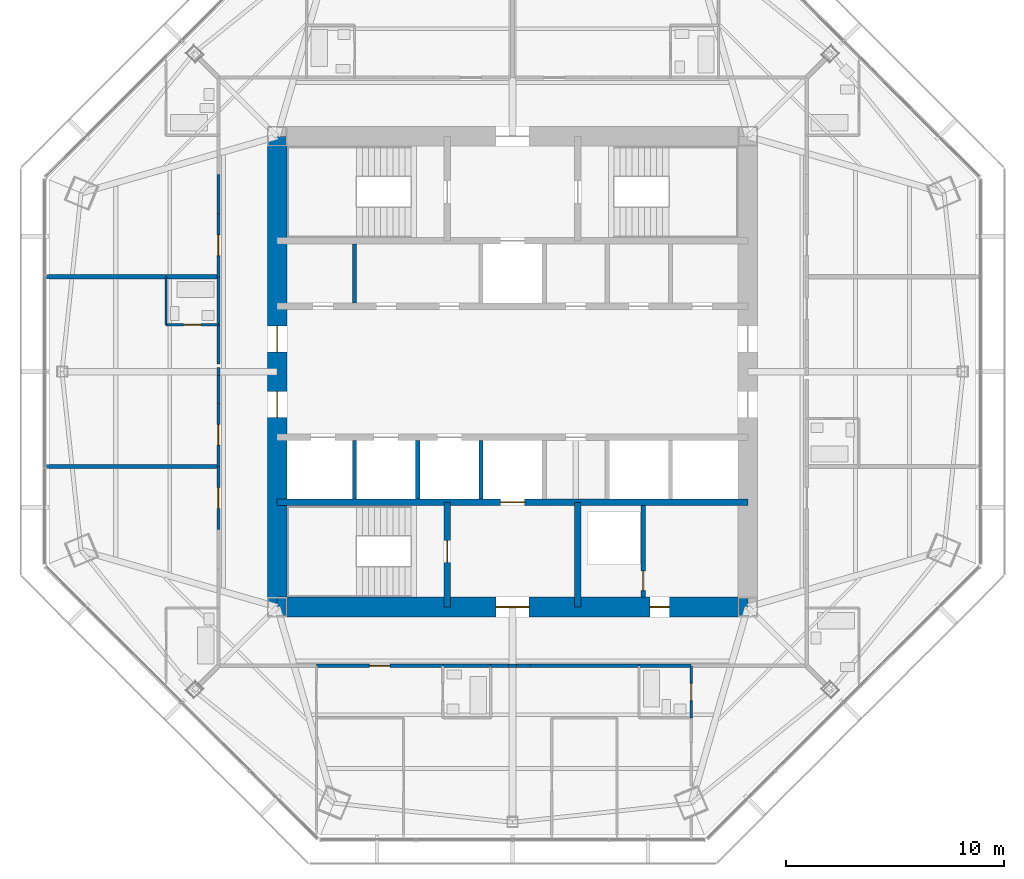
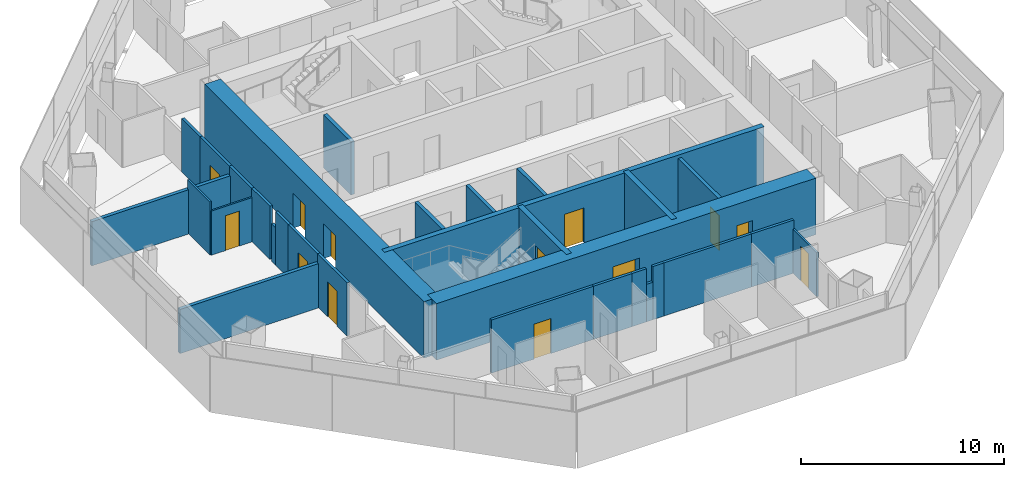
# One storey, part 9 of 15: 31 walls, 13 doors, 13 openings.
"""IFC4 building model written with IfcOpenShell, lengths in metres."""

from ifc_helpers import new_model, si_unit, direction, frame, frame_2d, origin, place, context, subcontext, project, spatial, rectangle, extrude, material, layer, layer_set, type_object, element, fill, save


model = new_model("IFC4")

# Units and contexts
model_context = context("Model", 3, precision=1e-05, world=origin(), true_north=direction((0.0, 1.0)))
body_context = subcontext(model_context, "Body", "Model", "MODEL_VIEW")
ifc_project = project(units=[si_unit("LENGTHUNIT", "METRE"), si_unit("AREAUNIT", "SQUARE_METRE"), si_unit("VOLUMEUNIT", "CUBIC_METRE"), si_unit("PLANEANGLEUNIT", "RADIAN"), si_unit("MASSUNIT", "GRAM", prefix="KILO")], contexts=[model_context])

# Site, building, storey
site_placement = place(None, origin())
site = spatial("IfcSite", under=ifc_project, at=site_placement, CompositionType="ELEMENT")
building_placement = place(site_placement, origin())
building = spatial("IfcBuilding", under=site, at=building_placement, Name="Mashrafa Tower", CompositionType="ELEMENT")
storey_placement = place(building_placement, frame((0.0, 0.0, 231.199951171875)))
storey = spatial("IfcBuildingStorey", under=building, at=storey_placement, Name="L54", CompositionType="ELEMENT", Elevation=231.199951171875)

# Walls
ifc_material_1 = material(Name="Gypsum board on steel studs", Category="steel")
ifc_layer_1 = layer(ifc_material_1, 0.199951171875)
ifc_layer_set_1 = layer_set([ifc_layer_1], Name="Acoustic partition 200 1 hr")
wall_type_1 = type_object("IfcWallType", Name="Acoustic partition 200 1 hr", PredefinedType="PARTITIONING", material=ifc_layer_set_1)
wall_1_placement = place(storey_placement, frame((-15.90087890625, 4.35009765625, 0.0), z_axis=(0.0, 0.0, 1.0), x_axis=(1.0, 0.0, 0.0)))
element("IfcWall", 1, at=wall_1_placement, inside=storey, type_object=wall_type_1, Name="Acoustic wall L54-069", PredefinedType="PARTITIONING", context=body_context, shape_type="SweptSolid", body=[
    extrude(rectangle(XDim=2.40087890625, YDim=0.199951171875, at=frame_2d((1.200439453125, 0.0))), origin(), (0.0, 0.0, 1.0), 2.664306640625),
])
wall_2_placement = place(storey_placement, frame((-21.456298828125, 4.35009765625, 0.0), z_axis=(0.0, 0.0, 1.0), x_axis=(1.0, 0.0, 0.0)))
element("IfcWall", 2, at=wall_2_placement, inside=storey, type_object=wall_type_1, Name="Acoustic wall L54-070", PredefinedType="PARTITIONING", context=body_context, shape_type="SweptSolid", body=[
    extrude(rectangle(XDim=5.557373046875, YDim=0.199951171875, at=frame_2d((2.77880859375, 0.0))), origin(), (0.0, 0.0, 1.0), 2.661865234375),
])
wall_3_placement = place(storey_placement, frame((-21.456298828125, -4.35009765625, 0.0), z_axis=(0.0, 0.0, 1.0), x_axis=(1.0, 0.0, 0.0)))
element("IfcWall", 3, at=wall_3_placement, inside=storey, type_object=wall_type_1, Name="Acoustic wall L54-073", PredefinedType="PARTITIONING", context=body_context, shape_type="SweptSolid", body=[
    extrude(rectangle(XDim=7.956298828125, YDim=0.199951171875, at=frame_2d((3.97802734375, 0.0))), origin(), (0.0, 0.0, 1.0), 2.661865234375),
])

# Wall, opening, door
ifc_material_2 = material(Name="Concrete masonry unit", Category="masonry")
ifc_layer_2 = layer(ifc_material_2, 0.199951171875)
ifc_layer_set_2 = layer_set([ifc_layer_2], Name="Blockwork wall 200 2 hr")
wall_type_2 = type_object("IfcWallType", Name="Blockwork wall 200 2 hr", PredefinedType="PARTITIONING", material=ifc_layer_set_2)
wall_4_placement = place(storey_placement, frame((6.0, -10.35009765625, 0.0), z_axis=(0.0, 0.0, 1.0), x_axis=(0.0, 1.0, 0.0)))
wall_4 = element("IfcWall", 4, at=wall_4_placement, inside=storey, type_object=wall_type_2, Name="Riser enclosure wall L54", PredefinedType="PARTITIONING", context=body_context, shape_type="SweptSolid", body=[
    extrude(rectangle(XDim=4.2001953125, YDim=0.199951171875, at=frame_2d((2.10009765625, 0.0))), origin(), (0.0, 0.0, 1.0), 3.199951171875),
])
opening_1_placement = place(wall_4_placement, frame((0.300048828125, 0.0, 0.0)))
opening_1 = element("IfcOpeningElement", 5, at=opening_1_placement, cuts=wall_4, Name="Opening 54.036", PredefinedType="OPENING", context=body_context, shape_type="SweptSolid", body=[
    extrude(rectangle(XDim=0.89990234375, YDim=2.10009765625, at=frame_2d((0.449951171875, 1.050048828125))), frame((0.0, 0.10986328125, 0.0), z_axis=(0.0, -1.0, 0.0), x_axis=(1.0, 0.0, 0.0)), (0.0, 0.0, 1.0), 0.219970703125),
])
ifc_material_3 = material(Name="Steel door", Category="steel")
door_type_1 = type_object("IfcDoorType", Name="Service door 900 x 2100 90 min", OperationType="USERDEFINED", PredefinedType="DOOR", material=ifc_material_3)
door_1_placement = place(opening_1_placement, origin())
door_1 = element("IfcDoor", 6, at=door_1_placement, inside=storey, type_object=door_type_1, Name="Riser door L54", OperationType="SINGLE_SWING_LEFT", OverallHeight=2.10009765625, OverallWidth=0.89990234375, PredefinedType="DOOR", context=body_context, shape_type="SweptSolid", body=[
    extrude(rectangle(XDim=0.89990234375, YDim=2.10009765625, at=frame_2d((0.449951171875, 1.050048828125))), frame((0.0, 0.02490234375, 0.0), z_axis=(0.0, -1.0, 0.0), x_axis=(1.0, 0.0, 0.0)), (0.0, 0.0, 1.0), 0.050048828125),
])
fill(opening_1, door_1)

ifc_material_4 = material(Name="Concrete C50/60", Category="concrete")
ifc_layer_3 = layer(ifc_material_4, 0.300048828125)
ifc_layer_set_3 = layer_set([ifc_layer_3], Name="Core wall 300 C50/60")
wall_type_3 = type_object("IfcWallType", Name="Core wall 300 C50/60", PredefinedType="SOLIDWALL", material=ifc_layer_set_3)
wall_5_placement = place(storey_placement, frame((-10.800048828125, -6.0, 0.0), z_axis=(0.0, 0.0, 1.0), x_axis=(1.0, 0.0, 0.0)))
wall_5 = element("IfcWall", 7, at=wall_5_placement, inside=storey, type_object=wall_type_3, Name="Core wall CB-S L54", PredefinedType="SOLIDWALL", context=body_context, shape_type="SweptSolid", body=[
    extrude(rectangle(XDim=21.60009765625, YDim=0.300048828125, at=frame_2d((10.800048828125, 0.0))), origin(), (0.0, 0.0, 1.0), 3.400146484375),
])
opening_2_placement = place(wall_5_placement, frame((10.25, 0.0, 0.0)))
opening_2 = element("IfcOpeningElement", 8, at=opening_2_placement, cuts=wall_5, Name="Opening 54.F2", PredefinedType="OPENING", context=body_context, shape_type="SweptSolid", body=[
    extrude(rectangle(XDim=1.10009765625, YDim=2.10009765625, at=frame_2d((0.550048828125, 1.050048828125))), frame((0.0, 0.159912109375, 0.0), z_axis=(0.0, -1.0, 0.0), x_axis=(1.0, 0.0, 0.0)), (0.0, 0.0, 1.0), 0.320068359375),
])
ifc_material_5 = material(Name="Steel door", Category="steel")
door_type_2 = type_object("IfcDoorType", Name="Lift landing door 1100 x 2100 90 min", OperationType="DOUBLE_DOOR_SLIDING", PredefinedType="DOOR", material=ifc_material_5)
door_2_placement = place(opening_2_placement, origin())
door_2 = element("IfcDoor", 9, at=door_2_placement, inside=storey, type_object=door_type_2, Name="Lift landing door F2 L54", OperationType="DOUBLE_DOOR_SLIDING", OverallHeight=2.10009765625, OverallWidth=1.10009765625, PredefinedType="DOOR", context=body_context, shape_type="SweptSolid", body=[
    extrude(rectangle(XDim=1.10009765625, YDim=2.10009765625, at=frame_2d((0.550048828125, 1.050048828125))), frame((0.0, 0.02490234375, 0.0), z_axis=(0.0, -1.0, 0.0), x_axis=(1.0, 0.0, 0.0)), (0.0, 0.0, 1.0), 0.050048828125),
])
fill(opening_2, door_2)

wall_6_placement = place(storey_placement, frame((-3.0, -6.0, 0.0), z_axis=(0.0, 0.0, 1.0), x_axis=(0.0, -1.0, 0.0)))
wall_6 = element("IfcWall", 10, at=wall_6_placement, inside=storey, type_object=wall_type_3, Name="Core wall CX-SW L54", PredefinedType="SOLIDWALL", context=body_context, shape_type="SweptSolid", body=[
    extrude(rectangle(XDim=4.800048828125, YDim=0.300048828125, at=frame_2d((2.39990234375, 0.0))), origin(), (0.0, 0.0, 1.0), 3.400146484375),
])
opening_3_placement = place(wall_6_placement, frame((1.75, 0.0, 0.0)))
opening_3 = element("IfcOpeningElement", 11, at=opening_3_placement, cuts=wall_6, Name="Opening 54.034", PredefinedType="OPENING", context=body_context, shape_type="SweptSolid", body=[
    extrude(rectangle(XDim=1.0, YDim=2.10009765625, at=frame_2d((0.5, 1.050048828125))), frame((0.0, 0.159912109375, 0.0), z_axis=(0.0, -1.0, 0.0), x_axis=(1.0, 0.0, 0.0)), (0.0, 0.0, 1.0), 0.320068359375),
])
ifc_material_6 = material(Name="Steel door", Category="steel")
door_type_3 = type_object("IfcDoorType", Name="Stair door 1000 x 2100 90 min", OperationType="USERDEFINED", PredefinedType="DOOR", material=ifc_material_6)
door_3_placement = place(opening_3_placement, frame((1.0, 0.0, 0.0), z_axis=(0.0, 0.0, 1.0), x_axis=(-1.0, 0.0, 0.0)))
door_3 = element("IfcDoor", 12, at=door_3_placement, inside=storey, type_object=door_type_3, Name="Stair S3 door L54", OperationType="SINGLE_SWING_RIGHT", OverallHeight=2.10009765625, OverallWidth=1.0, PredefinedType="DOOR", context=body_context, shape_type="SweptSolid", body=[
    extrude(rectangle(XDim=1.0, YDim=2.10009765625, at=frame_2d((0.5, 1.050048828125))), frame((0.0, 0.02490234375, 0.0), z_axis=(0.0, -1.0, 0.0), x_axis=(1.0, 0.0, 0.0)), (0.0, 0.0, 1.0), 0.050048828125),
])
fill(opening_3, door_3)

# Wall
wall_7_placement = place(storey_placement, frame((3.0, -6.0, 0.0), z_axis=(0.0, 0.0, 1.0), x_axis=(0.0, -1.0, 0.0)))
element("IfcWall", 13, at=wall_7_placement, inside=storey, type_object=wall_type_3, Name="Core wall CX-SE L54", PredefinedType="SOLIDWALL", context=body_context, shape_type="SweptSolid", body=[
    extrude(rectangle(XDim=4.800048828125, YDim=0.300048828125, at=frame_2d((2.39990234375, 0.0))), origin(), (0.0, 0.0, 1.0), 3.400146484375),
])

# Wall, openings, doors
ifc_material_7 = material(Name="Concrete C50/60", Category="concrete")
ifc_layer_4 = layer(ifc_material_7, 0.89990234375)
ifc_layer_set_4 = layer_set([ifc_layer_4], Name="Core wall 900 C50/60")
wall_type_4 = type_object("IfcWallType", Name="Core wall 900 C50/60", PredefinedType="SOLIDWALL", material=ifc_layer_set_4)
wall_8_placement = place(storey_placement, frame((-10.800048828125, -10.800048828125, 0.0), z_axis=(0.0, 0.0, 1.0), x_axis=(1.0, 0.0, 0.0)))
wall_8 = element("IfcWall", 14, at=wall_8_placement, inside=storey, type_object=wall_type_4, Name="Core wall CW-S L54", PredefinedType="SOLIDWALL", context=body_context, shape_type="SweptSolid", body=[
    extrude(rectangle(XDim=21.60009765625, YDim=0.89990234375, at=frame_2d((10.800048828125, 0.0))), origin(), (0.0, 0.0, 1.0), 3.400146484375),
])
opening_4_placement = place(wall_8_placement, frame((10.050048828125, 0.0, 0.0)))
opening_4 = element("IfcOpeningElement", 15, at=opening_4_placement, cuts=wall_8, Name="Opening 54.031", PredefinedType="OPENING", context=body_context, shape_type="SweptSolid", body=[
    extrude(rectangle(XDim=1.5, YDim=2.10009765625, at=frame_2d((0.75, 1.050048828125))), frame((0.0, 0.4599609375, 0.0), z_axis=(0.0, -1.0, 0.0), x_axis=(1.0, 0.0, 0.0)), (0.0, 0.0, 1.0), 0.919921875),
])
opening_5_placement = place(wall_8_placement, frame((17.10009765625, 0.0, 0.0)))
opening_5 = element("IfcOpeningElement", 16, at=opening_5_placement, cuts=wall_8, Name="Opening 54.035", PredefinedType="OPENING", context=body_context, shape_type="SweptSolid", body=[
    extrude(rectangle(XDim=0.89990234375, YDim=2.10009765625, at=frame_2d((0.449951171875, 1.050048828125))), frame((0.0, 0.4599609375, 0.0), z_axis=(0.0, -1.0, 0.0), x_axis=(1.0, 0.0, 0.0)), (0.0, 0.0, 1.0), 0.919921875),
])
ifc_material_8 = material(Name="Steel door", Category="steel")
door_type_4 = type_object("IfcDoorType", Name="Lobby door pair 1500 x 2100 90 min", OperationType="DOUBLE_DOOR_SINGLE_SWING", PredefinedType="DOOR", material=ifc_material_8)
door_4_placement = place(opening_4_placement, origin())
door_4 = element("IfcDoor", 17, at=door_4_placement, inside=storey, type_object=door_type_4, Name="Fire-fighting lobby F2 door L54", OperationType="DOUBLE_DOOR_SINGLE_SWING", OverallHeight=2.10009765625, OverallWidth=1.5, PredefinedType="DOOR", context=body_context, shape_type="SweptSolid", body=[
    extrude(rectangle(XDim=1.5, YDim=2.10009765625, at=frame_2d((0.75, 1.050048828125))), frame((0.0, 0.02490234375, 0.0), z_axis=(0.0, -1.0, 0.0), x_axis=(1.0, 0.0, 0.0)), (0.0, 0.0, 1.0), 0.050048828125),
])
fill(opening_4, door_4)
door_5_placement = place(opening_5_placement, origin())
door_5 = element("IfcDoor", 18, at=door_5_placement, inside=storey, type_object=door_type_1, Name="Electrical Room L54 door", OperationType="SINGLE_SWING_LEFT", OverallHeight=2.10009765625, OverallWidth=0.89990234375, PredefinedType="DOOR", context=body_context, shape_type="SweptSolid", body=[
    extrude(rectangle(XDim=0.89990234375, YDim=2.10009765625, at=frame_2d((0.449951171875, 1.050048828125))), frame((0.0, 0.02490234375, 0.0), z_axis=(0.0, -1.0, 0.0), x_axis=(1.0, 0.0, 0.0)), (0.0, 0.0, 1.0), 0.050048828125),
])
fill(opening_5, door_5)

wall_9_placement = place(storey_placement, frame((-10.800048828125, 10.800048828125, 0.0), z_axis=(0.0, 0.0, 1.0), x_axis=(0.0, -1.0, 0.0)))
wall_9 = element("IfcWall", 19, at=wall_9_placement, inside=storey, type_object=wall_type_4, Name="Core wall CW-W L54", PredefinedType="SOLIDWALL", context=body_context, shape_type="SweptSolid", body=[
    extrude(rectangle(XDim=21.60009765625, YDim=0.89990234375, at=frame_2d((10.800048828125, 0.0))), origin(), (0.0, 0.0, 1.0), 3.400146484375),
])
opening_6_placement = place(wall_9_placement, frame((8.699951171875, 0.0, 0.0)))
opening_6 = element("IfcOpeningElement", 20, at=opening_6_placement, cuts=wall_9, Name="Opening 54.027", PredefinedType="OPENING", context=body_context, shape_type="SweptSolid", body=[
    extrude(rectangle(XDim=1.199951171875, YDim=2.10009765625, at=frame_2d((0.60009765625, 1.050048828125))), frame((0.0, 0.4599609375, 0.0), z_axis=(0.0, -1.0, 0.0), x_axis=(1.0, 0.0, 0.0)), (0.0, 0.0, 1.0), 0.919921875),
])
opening_7_placement = place(wall_9_placement, frame((11.699951171875, 0.0, 0.0)))
opening_7 = element("IfcOpeningElement", 21, at=opening_7_placement, cuts=wall_9, Name="Opening 54.029", PredefinedType="OPENING", context=body_context, shape_type="SweptSolid", body=[
    extrude(rectangle(XDim=1.199951171875, YDim=2.10009765625, at=frame_2d((0.60009765625, 1.050048828125))), frame((0.0, 0.4599609375, 0.0), z_axis=(0.0, -1.0, 0.0), x_axis=(1.0, 0.0, 0.0)), (0.0, 0.0, 1.0), 0.919921875),
])
ifc_material_9 = material(Name="Steel door", Category="steel")
door_type_5 = type_object("IfcDoorType", Name="Lift hall door 1200 x 2100 90 min", OperationType="USERDEFINED", PredefinedType="DOOR", material=ifc_material_9)
door_6_placement = place(opening_6_placement, frame((1.199951171875, 0.0, 0.0), z_axis=(0.0, 0.0, 1.0), x_axis=(-1.0, 0.0, 0.0)))
door_6 = element("IfcDoor", 22, at=door_6_placement, inside=storey, type_object=door_type_5, Name="Lift hall door west L54", OperationType="SINGLE_SWING_RIGHT", OverallHeight=2.10009765625, OverallWidth=1.199951171875, PredefinedType="DOOR", context=body_context, shape_type="SweptSolid", body=[
    extrude(rectangle(XDim=1.199951171875, YDim=2.10009765625, at=frame_2d((0.60009765625, 1.050048828125))), frame((0.0, 0.02490234375, 0.0), z_axis=(0.0, -1.0, 0.0), x_axis=(1.0, 0.0, 0.0)), (0.0, 0.0, 1.0), 0.050048828125),
])
fill(opening_6, door_6)
door_7_placement = place(opening_7_placement, frame((1.199951171875, 0.0, 0.0), z_axis=(0.0, 0.0, 1.0), x_axis=(-1.0, 0.0, 0.0)))
door_7 = element("IfcDoor", 23, at=door_7_placement, inside=storey, type_object=door_type_5, Name="Lift hall door west L54", OperationType="SINGLE_SWING_LEFT", OverallHeight=2.10009765625, OverallWidth=1.199951171875, PredefinedType="DOOR", context=body_context, shape_type="SweptSolid", body=[
    extrude(rectangle(XDim=1.199951171875, YDim=2.10009765625, at=frame_2d((0.60009765625, 1.050048828125))), frame((0.0, 0.02490234375, 0.0), z_axis=(0.0, -1.0, 0.0), x_axis=(1.0, 0.0, 0.0)), (0.0, 0.0, 1.0), 0.050048828125),
])
fill(opening_7, door_7)

# Wall
ifc_material_10 = material(Name="Gypsum board on steel studs", Category="steel")
ifc_layer_5 = layer(ifc_material_10, 0.14990234375)
ifc_layer_set_5 = layer_set([ifc_layer_5], Name="Corridor partition 150 1 hr")
wall_type_5 = type_object("IfcWallType", Name="Corridor partition 150 1 hr", PredefinedType="PARTITIONING", material=ifc_layer_set_5)
wall_10_placement = place(storey_placement, frame((-13.5, 9.051025390625, 0.0), z_axis=(0.0, 0.0, 1.0), x_axis=(0.0, -1.0, 0.0)))
element("IfcWall", 24, at=wall_10_placement, inside=storey, type_object=wall_type_5, Name="Corridor wall L54-025", PredefinedType="PARTITIONING", context=body_context, shape_type="SweptSolid", body=[
    extrude(rectangle(XDim=1.802001953125, YDim=0.14990234375, at=frame_2d((0.90087890625, 0.0))), origin(), (0.0, 0.0, 1.0), 3.199951171875),
])

# Wall, opening, door
wall_11_placement = place(storey_placement, frame((-13.5, 7.2509765625, 0.0), z_axis=(0.0, 0.0, 1.0), x_axis=(0.0, -1.0, 0.0)))
wall_11 = element("IfcWall", 25, at=wall_11_placement, inside=storey, type_object=wall_type_5, Name="Corridor wall L54-026", PredefinedType="PARTITIONING", context=body_context, shape_type="SweptSolid", body=[
    extrude(rectangle(XDim=2.90185546875, YDim=0.14990234375, at=frame_2d((1.450927734375, 0.0))), origin(), (0.0, 0.0, 1.0), 3.199951171875),
])
opening_8_placement = place(wall_11_placement, frame((0.97607421875, 0.0, 0.0)))
opening_8 = element("IfcOpeningElement", 26, at=opening_8_placement, cuts=wall_11, Name="Opening 54.014", PredefinedType="OPENING", context=body_context, shape_type="SweptSolid", body=[
    extrude(rectangle(XDim=0.949951171875, YDim=2.10009765625, at=frame_2d((0.47509765625, 1.050048828125))), frame((0.0, 0.0849609375, 0.0), z_axis=(0.0, -1.0, 0.0), x_axis=(1.0, 0.0, 0.0)), (0.0, 0.0, 1.0), 0.169921875),
])
ifc_material_11 = material(Name="Steel door", Category="steel")
door_type_6 = type_object("IfcDoorType", Name="Residence entrance door 950 x 2100 20 min", OperationType="USERDEFINED", PredefinedType="DOOR", material=ifc_material_11)
door_8_placement = place(opening_8_placement, frame((0.949951171875, 0.0, 0.0), z_axis=(0.0, 0.0, 1.0), x_axis=(-1.0, 0.0, 0.0)))
door_8 = element("IfcDoor", 27, at=door_8_placement, inside=storey, type_object=door_type_6, Name="Apartment 5406 Studio Living Room door", OperationType="SINGLE_SWING_LEFT", OverallHeight=2.10009765625, OverallWidth=0.949951171875, PredefinedType="DOOR", context=body_context, shape_type="SweptSolid", body=[
    extrude(rectangle(XDim=0.949951171875, YDim=2.10009765625, at=frame_2d((0.47509765625, 1.050048828125))), frame((0.0, 0.02490234375, 0.0), z_axis=(0.0, -1.0, 0.0), x_axis=(1.0, 0.0, 0.0)), (0.0, 0.0, 1.0), 0.050048828125),
])
fill(opening_8, door_8)

# Walls
wall_12_placement = place(storey_placement, frame((-13.5, 4.35107421875, 0.0), z_axis=(0.0, 0.0, 1.0), x_axis=(0.0, -1.0, 0.0)))
element("IfcWall", 28, at=wall_12_placement, inside=storey, type_object=wall_type_5, Name="Corridor wall L54-028", PredefinedType="PARTITIONING", context=body_context, shape_type="SweptSolid", body=[
    extrude(rectangle(XDim=2.2021484375, YDim=0.14990234375, at=frame_2d((1.10107421875, 0.0))), origin(), (0.0, 0.0, 1.0), 3.199951171875),
])
wall_13_placement = place(storey_placement, frame((-13.5, -0.18359375, 0.0), z_axis=(0.0, 0.0, 1.0), x_axis=(0.0, -1.0, 0.0)))
element("IfcWall", 29, at=wall_13_placement, inside=storey, type_object=wall_type_5, Name="Corridor wall L54-029", PredefinedType="PARTITIONING", context=body_context, shape_type="SweptSolid", body=[
    extrude(rectangle(XDim=1.267333984375, YDim=0.14990234375, at=frame_2d((0.6337890625, 0.0))), origin(), (0.0, 0.0, 1.0), 3.199951171875),
])
wall_14_placement = place(storey_placement, frame((-13.5, 0.18359375, 0.0), z_axis=(0.0, 0.0, 1.0), x_axis=(0.0, -1.0, 0.0)))
element("IfcWall", 30, at=wall_14_placement, inside=storey, type_object=wall_type_5, Name="Corridor wall L54-030", PredefinedType="PARTITIONING", context=body_context, shape_type="SweptSolid", body=[
    extrude(rectangle(XDim=0.3671875, YDim=0.14990234375, at=frame_2d((0.18359375, 0.0))), origin(), (0.0, 0.0, 1.0), 2.2529296875),
])

# Wall, opening, door
wall_15_placement = place(storey_placement, frame((-13.5, -1.448974609375, 0.0), z_axis=(0.0, 0.0, 1.0), x_axis=(0.0, -1.0, 0.0)))
wall_15 = element("IfcWall", 31, at=wall_15_placement, inside=storey, type_object=wall_type_5, Name="Corridor wall L54-031", PredefinedType="PARTITIONING", context=body_context, shape_type="SweptSolid", body=[
    extrude(rectangle(XDim=2.902099609375, YDim=0.14990234375, at=frame_2d((1.451171875, 0.0))), origin(), (0.0, 0.0, 1.0), 3.199951171875),
])
opening_9_placement = place(wall_15_placement, frame((0.97607421875, 0.0, 0.0)))
opening_9 = element("IfcOpeningElement", 32, at=opening_9_placement, cuts=wall_15, Name="Opening 54.016", PredefinedType="OPENING", context=body_context, shape_type="SweptSolid", body=[
    extrude(rectangle(XDim=0.949951171875, YDim=2.10009765625, at=frame_2d((0.47509765625, 1.050048828125))), frame((0.0, 0.0849609375, 0.0), z_axis=(0.0, -1.0, 0.0), x_axis=(1.0, 0.0, 0.0)), (0.0, 0.0, 1.0), 0.169921875),
])
door_9_placement = place(opening_9_placement, frame((0.949951171875, 0.0, 0.0), z_axis=(0.0, 0.0, 1.0), x_axis=(-1.0, 0.0, 0.0)))
door_9 = element("IfcDoor", 33, at=door_9_placement, inside=storey, type_object=door_type_6, Name="Apartment 5407 Studio Living Room door", OperationType="SINGLE_SWING_LEFT", OverallHeight=2.10009765625, OverallWidth=0.949951171875, PredefinedType="DOOR", context=body_context, shape_type="SweptSolid", body=[
    extrude(rectangle(XDim=0.949951171875, YDim=2.10009765625, at=frame_2d((0.47509765625, 1.050048828125))), frame((0.0, 0.02490234375, 0.0), z_axis=(0.0, -1.0, 0.0), x_axis=(1.0, 0.0, 0.0)), (0.0, 0.0, 1.0), 0.050048828125),
])
fill(opening_9, door_9)

# Wall
wall_16_placement = place(storey_placement, frame((-13.5, 2.15087890625, 0.0), z_axis=(0.0, 0.0, 1.0), x_axis=(0.0, -1.0, 0.0)))
element("IfcWall", 34, at=wall_16_placement, inside=storey, type_object=wall_type_5, Name="Corridor wall L54-032", PredefinedType="PARTITIONING", context=body_context, shape_type="SweptSolid", body=[
    extrude(rectangle(XDim=1.8017578125, YDim=0.14990234375, at=frame_2d((0.90087890625, 0.0))), origin(), (0.0, 0.0, 1.0), 3.199951171875),
])

# Wall, opening, door
wall_17_placement = place(storey_placement, frame((-13.5, -4.34912109375, 0.0), z_axis=(0.0, 0.0, 1.0), x_axis=(0.0, -1.0, 0.0)))
wall_17 = element("IfcWall", 35, at=wall_17_placement, inside=storey, type_object=wall_type_5, Name="Corridor wall L54-036", PredefinedType="PARTITIONING", context=body_context, shape_type="SweptSolid", body=[
    extrude(rectangle(XDim=2.90185546875, YDim=0.14990234375, at=frame_2d((1.450927734375, 0.0))), origin(), (0.0, 0.0, 1.0), 3.199951171875),
])
opening_10_placement = place(wall_17_placement, frame((0.97607421875, 0.0, 0.0)))
opening_10 = element("IfcOpeningElement", 36, at=opening_10_placement, cuts=wall_17, Name="Opening 54.018", PredefinedType="OPENING", context=body_context, shape_type="SweptSolid", body=[
    extrude(rectangle(XDim=0.949951171875, YDim=2.10009765625, at=frame_2d((0.47509765625, 1.050048828125))), frame((0.0, 0.0849609375, 0.0), z_axis=(0.0, -1.0, 0.0), x_axis=(1.0, 0.0, 0.0)), (0.0, 0.0, 1.0), 0.169921875),
])
door_10_placement = place(opening_10_placement, frame((0.949951171875, 0.0, 0.0), z_axis=(0.0, 0.0, 1.0), x_axis=(-1.0, 0.0, 0.0)))
door_10 = element("IfcDoor", 37, at=door_10_placement, inside=storey, type_object=door_type_6, Name="Apartment 5408 Studio Living Room door", OperationType="SINGLE_SWING_RIGHT", OverallHeight=2.10009765625, OverallWidth=0.949951171875, PredefinedType="DOOR", context=body_context, shape_type="SweptSolid", body=[
    extrude(rectangle(XDim=0.949951171875, YDim=2.10009765625, at=frame_2d((0.47509765625, 1.050048828125))), frame((0.0, 0.02490234375, 0.0), z_axis=(0.0, -1.0, 0.0), x_axis=(1.0, 0.0, 0.0)), (0.0, 0.0, 1.0), 0.050048828125),
])
fill(opening_10, door_10)

# Walls
wall_18_placement = place(storey_placement, frame((-3.200927734375, -13.5, 0.0), z_axis=(0.0, 0.0, 1.0), x_axis=(1.0, 0.0, 0.0)))
element("IfcWall", 38, at=wall_18_placement, inside=storey, type_object=wall_type_5, Name="Corridor wall L54-038", PredefinedType="PARTITIONING", context=body_context, shape_type="SweptSolid", body=[
    extrude(rectangle(XDim=2.201904296875, YDim=0.14990234375, at=frame_2d((1.10107421875, 0.0))), origin(), (0.0, 0.0, 1.0), 3.199951171875),
])
wall_19_placement = place(storey_placement, frame((-1.0009765625, -13.5, 0.0), z_axis=(0.0, 0.0, 1.0), x_axis=(1.0, 0.0, 0.0)))
element("IfcWall", 39, at=wall_19_placement, inside=storey, type_object=wall_type_5, Name="Corridor wall L54-039", PredefinedType="PARTITIONING", context=body_context, shape_type="SweptSolid", body=[
    extrude(rectangle(XDim=0.8173828125, YDim=0.14990234375, at=frame_2d((0.40869140625, 0.0))), origin(), (0.0, 0.0, 1.0), 3.199951171875),
])
wall_20_placement = place(storey_placement, frame((0.18359375, -13.5, 0.0), z_axis=(0.0, 0.0, 1.0), x_axis=(1.0, 0.0, 0.0)))
element("IfcWall", 40, at=wall_20_placement, inside=storey, type_object=wall_type_5, Name="Corridor wall L54-040", PredefinedType="PARTITIONING", context=body_context, shape_type="SweptSolid", body=[
    extrude(rectangle(XDim=0.617431640625, YDim=0.14990234375, at=frame_2d((0.30859375, 0.0))), origin(), (0.0, 0.0, 1.0), 3.199951171875),
])
wall_21_placement = place(storey_placement, frame((-0.18359375, -13.5, 0.0), z_axis=(0.0, 0.0, 1.0), x_axis=(1.0, 0.0, 0.0)))
element("IfcWall", 41, at=wall_21_placement, inside=storey, type_object=wall_type_5, Name="Corridor wall L54-041", PredefinedType="PARTITIONING", context=body_context, shape_type="SweptSolid", body=[
    extrude(rectangle(XDim=0.3671875, YDim=0.14990234375, at=frame_2d((0.18359375, 0.0))), origin(), (0.0, 0.0, 1.0), 2.2529296875),
])
wall_22_placement = place(storey_placement, frame((5.799072265625, -13.5, 0.0), z_axis=(0.0, 0.0, 1.0), x_axis=(1.0, 0.0, 0.0)))
element("IfcWall", 42, at=wall_22_placement, inside=storey, type_object=wall_type_5, Name="Corridor wall L54-042", PredefinedType="PARTITIONING", context=body_context, shape_type="SweptSolid", body=[
    extrude(rectangle(XDim=2.40185546875, YDim=0.14990234375, at=frame_2d((1.200927734375, 0.0))), origin(), (0.0, 0.0, 1.0), 3.199951171875),
])

# Wall, opening, door
wall_23_placement = place(storey_placement, frame((-9.0009765625, -13.5, 0.0), z_axis=(0.0, 0.0, 1.0), x_axis=(1.0, 0.0, 0.0)))
wall_23 = element("IfcWall", 43, at=wall_23_placement, inside=storey, type_object=wall_type_5, Name="Corridor wall L54-044", PredefinedType="PARTITIONING", context=body_context, shape_type="SweptSolid", body=[
    extrude(rectangle(XDim=5.802001953125, YDim=0.14990234375, at=frame_2d((2.90087890625, 0.0))), origin(), (0.0, 0.0, 1.0), 3.199951171875),
])
opening_11_placement = place(wall_23_placement, frame((2.426025390625, 0.0, 0.0)))
opening_11 = element("IfcOpeningElement", 44, at=opening_11_placement, cuts=wall_23, Name="Opening 54.024", PredefinedType="OPENING", context=body_context, shape_type="SweptSolid", body=[
    extrude(rectangle(XDim=0.949951171875, YDim=2.10009765625, at=frame_2d((0.47509765625, 1.050048828125))), frame((0.0, 0.0849609375, 0.0), z_axis=(0.0, -1.0, 0.0), x_axis=(1.0, 0.0, 0.0)), (0.0, 0.0, 1.0), 0.169921875),
])
door_11_placement = place(opening_11_placement, frame((0.949951171875, 0.0, 0.0), z_axis=(0.0, 0.0, 1.0), x_axis=(-1.0, 0.0, 0.0)))
door_11 = element("IfcDoor", 45, at=door_11_placement, inside=storey, type_object=door_type_6, Name="Apartment 5409 Living Room door", OperationType="SINGLE_SWING_RIGHT", OverallHeight=2.10009765625, OverallWidth=0.949951171875, PredefinedType="DOOR", context=body_context, shape_type="SweptSolid", body=[
    extrude(rectangle(XDim=0.949951171875, YDim=2.10009765625, at=frame_2d((0.47509765625, 1.050048828125))), frame((0.0, 0.02490234375, 0.0), z_axis=(0.0, -1.0, 0.0), x_axis=(1.0, 0.0, 0.0)), (0.0, 0.0, 1.0), 0.050048828125),
])
fill(opening_11, door_11)

# Walls
wall_24_placement = place(storey_placement, frame((0.799072265625, -13.5, 0.0), z_axis=(0.0, 0.0, 1.0), x_axis=(1.0, 0.0, 0.0)))
element("IfcWall", 46, at=wall_24_placement, inside=storey, type_object=wall_type_5, Name="Corridor wall L54-045", PredefinedType="PARTITIONING", context=body_context, shape_type="SweptSolid", body=[
    extrude(rectangle(XDim=5.001953125, YDim=0.14990234375, at=frame_2d((2.5009765625, 0.0))), origin(), (0.0, 0.0, 1.0), 3.199951171875),
])
ifc_material_12 = material(Name="Gypsum board on steel studs", Category="steel")
ifc_layer_6 = layer(ifc_material_12, 0.10009765625)
ifc_layer_set_6 = layer_set([ifc_layer_6], Name="Partition 100")
wall_type_6 = type_object("IfcWallType", Name="Partition 100", PredefinedType="PARTITIONING", material=ifc_layer_set_6)
wall_25_placement = place(storey_placement, frame((-15.89990234375, 4.35009765625, 0.0), z_axis=(0.0, 0.0, 1.0), x_axis=(0.0, -1.0, 0.0)))
element("IfcWall", 47, at=wall_25_placement, inside=storey, type_object=wall_type_6, Name="Partition wall L54-071", PredefinedType="PARTITIONING", context=body_context, shape_type="SweptSolid", body=[
    extrude(rectangle(XDim=2.2001953125, YDim=0.10009765625, at=frame_2d((1.10009765625, 0.0))), origin(), (0.0, 0.0, 1.0), 3.199951171875),
])

# Wall, opening, door
wall_26_placement = place(storey_placement, frame((-15.89990234375, 2.14990234375, 0.0), z_axis=(0.0, 0.0, 1.0), x_axis=(1.0, 0.0, 0.0)))
wall_26 = element("IfcWall", 48, at=wall_26_placement, inside=storey, type_object=wall_type_6, Name="Partition wall L54-072", PredefinedType="PARTITIONING", context=body_context, shape_type="SweptSolid", body=[
    extrude(rectangle(XDim=2.39990234375, YDim=0.10009765625, at=frame_2d((1.199951171875, 0.0))), origin(), (0.0, 0.0, 1.0), 2.664306640625),
])
opening_12_placement = place(wall_26_placement, frame((0.800048828125, 0.0, 0.0)))
opening_12 = element("IfcOpeningElement", 49, at=opening_12_placement, cuts=wall_26, Name="Opening 54.015", PredefinedType="OPENING", context=body_context, shape_type="SweptSolid", body=[
    extrude(rectangle(XDim=0.800048828125, YDim=2.10009765625, at=frame_2d((0.39990234375, 1.050048828125))), frame((0.0, 0.06005859375, 0.0), z_axis=(0.0, -1.0, 0.0), x_axis=(1.0, 0.0, 0.0)), (0.0, 0.0, 1.0), 0.1201171875),
])
ifc_material_13 = material(Name="Timber door", Category="wood")
door_type_7 = type_object("IfcDoorType", Name="Bathroom door 800 x 2100", OperationType="USERDEFINED", PredefinedType="DOOR", material=ifc_material_13)
door_12_placement = place(opening_12_placement, origin())
door_12 = element("IfcDoor", 50, at=door_12_placement, inside=storey, type_object=door_type_7, Name="Apartment 5407 Bathroom door", OperationType="SINGLE_SWING_LEFT", OverallHeight=2.10009765625, OverallWidth=0.800048828125, PredefinedType="DOOR", context=body_context, shape_type="SweptSolid", body=[
    extrude(rectangle(XDim=0.800048828125, YDim=2.10009765625, at=frame_2d((0.39990234375, 1.050048828125))), frame((0.0, 0.02490234375, 0.0), z_axis=(0.0, -1.0, 0.0), x_axis=(1.0, 0.0, 0.0)), (0.0, 0.0, 1.0), 0.050048828125),
])
fill(opening_12, door_12)

wall_27_placement = place(storey_placement, frame((8.199951171875, -15.89990234375, 0.0), z_axis=(0.0, 0.0, 1.0), x_axis=(0.0, 1.0, 0.0)))
wall_27 = element("IfcWall", 51, at=wall_27_placement, inside=storey, type_object=wall_type_6, Name="Partition wall L54-085", PredefinedType="PARTITIONING", context=body_context, shape_type="SweptSolid", body=[
    extrude(rectangle(XDim=2.39990234375, YDim=0.10009765625, at=frame_2d((1.199951171875, 0.0))), origin(), (0.0, 0.0, 1.0), 2.664306640625),
])
opening_13_placement = place(wall_27_placement, frame((0.800048828125, 0.0, 0.0)))
opening_13 = element("IfcOpeningElement", 52, at=opening_13_placement, cuts=wall_27, Name="Opening 54.022", PredefinedType="OPENING", context=body_context, shape_type="SweptSolid", body=[
    extrude(rectangle(XDim=0.800048828125, YDim=2.10009765625, at=frame_2d((0.39990234375, 1.050048828125))), frame((0.0, 0.06005859375, 0.0), z_axis=(0.0, -1.0, 0.0), x_axis=(1.0, 0.0, 0.0)), (0.0, 0.0, 1.0), 0.1201171875),
])
door_13_placement = place(opening_13_placement, origin())
door_13 = element("IfcDoor", 53, at=door_13_placement, inside=storey, type_object=door_type_7, Name="Apartment 5409 En-suite Bathroom door", OperationType="SINGLE_SWING_LEFT", OverallHeight=2.10009765625, OverallWidth=0.800048828125, PredefinedType="DOOR", context=body_context, shape_type="SweptSolid", body=[
    extrude(rectangle(XDim=0.800048828125, YDim=2.10009765625, at=frame_2d((0.39990234375, 1.050048828125))), frame((0.0, 0.02490234375, 0.0), z_axis=(0.0, -1.0, 0.0), x_axis=(1.0, 0.0, 0.0)), (0.0, 0.0, 1.0), 0.050048828125),
])
fill(opening_13, door_13)

# Walls
ifc_material_14 = material(Name="Gypsum shaft wall on steel studs", Category="steel")
ifc_layer_7 = layer(ifc_material_14, 0.199951171875)
ifc_layer_set_7 = layer_set([ifc_layer_7], Name="Shaft divider wall 200 2 hr")
wall_type_7 = type_object("IfcWallType", Name="Shaft divider wall 200 2 hr", PredefinedType="PARTITIONING", material=ifc_layer_set_7)
wall_28_placement = place(storey_placement, frame((-7.25, 3.14990234375, 0.0), z_axis=(0.0, 0.0, 1.0), x_axis=(0.0, 1.0, 0.0)))
element("IfcWall", 54, at=wall_28_placement, inside=storey, type_object=wall_type_7, Name="Shaft divider wall N1 L54", PredefinedType="PARTITIONING", context=body_context, shape_type="SweptSolid", body=[
    extrude(rectangle(XDim=2.7001953125, YDim=0.199951171875, at=frame_2d((1.35009765625, 0.0))), origin(), (0.0, 0.0, 1.0), 3.199951171875),
])
for number, where, z_axis, x_axis, name in (
    (55, (-7.25, -5.85009765625, 0.0), (0.0, 0.0, 1.0), (0.0, 1.0, 0.0), "Shaft divider wall S1 L54"),
    (56, (-4.35009765625, -5.85009765625, 0.0), (0.0, 0.0, 1.0), (0.0, 1.0, 0.0), "Shaft divider wall S2 L54"),
    (57, (-1.449951171875, -5.85009765625, 0.0), (0.0, 0.0, 1.0), (0.0, 1.0, 0.0), "Shaft divider wall S3 L54"),
):
    element("IfcWall", number, at=place(storey_placement, frame(where, z_axis=z_axis, x_axis=x_axis)), inside=storey, type_object=wall_type_7, Name=name, PredefinedType="PARTITIONING", context=body_context, shape_type="SweptSolid", body=[
        extrude(rectangle(XDim=2.7001953125, YDim=0.199951171875, at=frame_2d((1.35009765625, 0.0))), origin(), (0.0, 0.0, 1.0), 3.400146484375),
    ])

save(model, "model.ifc")
